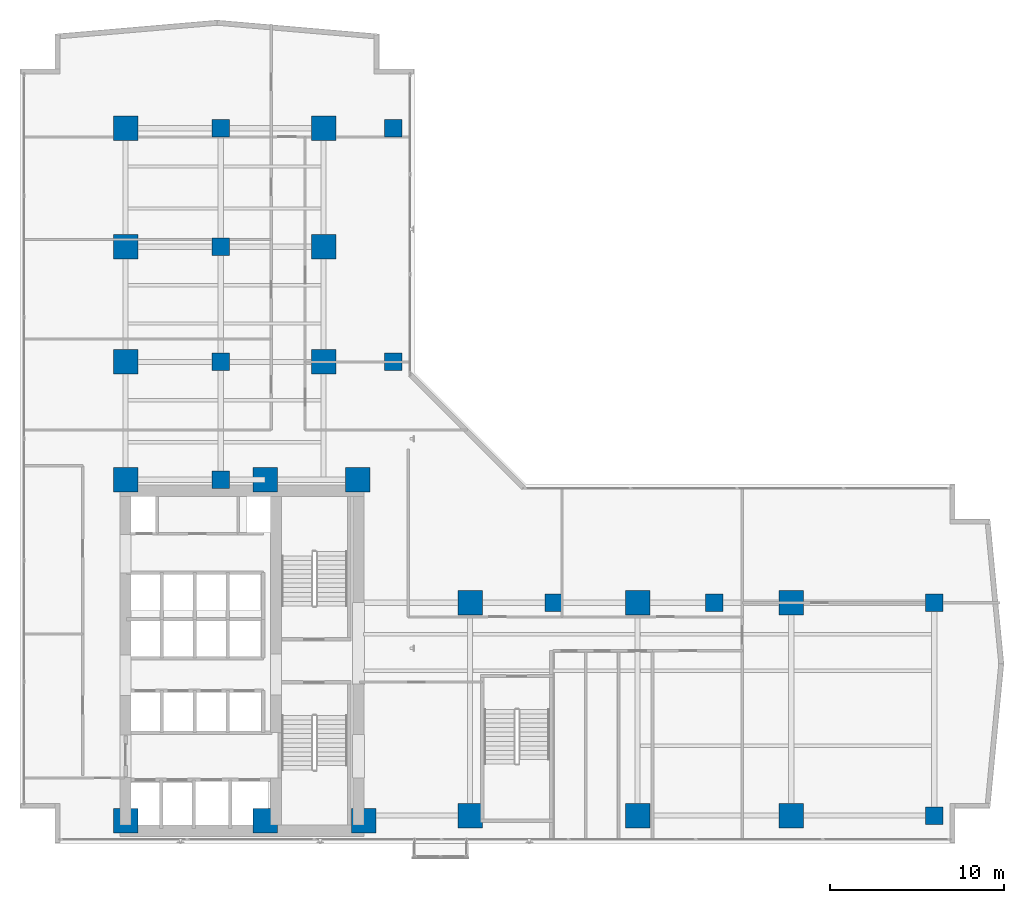
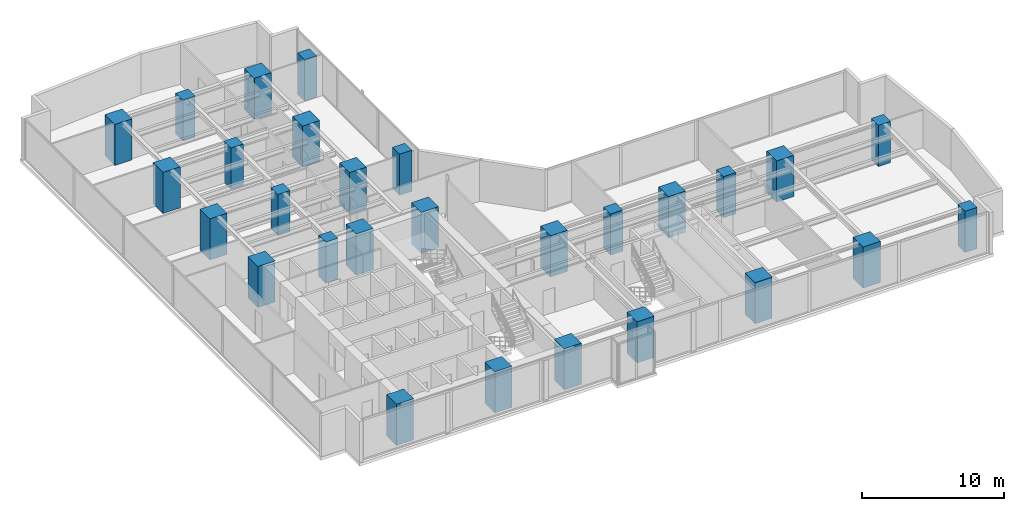
# One storey, part 1 of 24: 28 columns.
"""IFC4 building model written with IfcOpenShell, lengths in metres."""

from ifc_helpers import new_model, si_unit, direction, frame, origin, origin_2d, place, context, subcontext, project, spatial, rectangle, extrude, material, material_profile, profile_set, type_object, element, save


model = new_model("IFC4")

# Units and contexts
model_context = context("Model", 3, precision=1e-05, world=origin(), true_north=direction((0.0, 1.0)))
body_context = subcontext(model_context, "Body", "Model", "MODEL_VIEW")
ifc_project = project(units=[si_unit("LENGTHUNIT", "METRE"), si_unit("AREAUNIT", "SQUARE_METRE"), si_unit("VOLUMEUNIT", "CUBIC_METRE"), si_unit("PLANEANGLEUNIT", "RADIAN"), si_unit("MASSUNIT", "GRAM", prefix="KILO")], contexts=[model_context])

# Site, building, storey
site_placement = place(None, origin())
site = spatial("IfcSite", under=ifc_project, at=site_placement, CompositionType="ELEMENT")
building_placement = place(site_placement, origin())
building = spatial("IfcBuilding", under=site, at=building_placement, Name="Kolvaren Waterfront Exchange", CompositionType="ELEMENT")
storey_placement = place(building_placement, frame((0.0, 0.0, 91.699951171875)))
storey = spatial("IfcBuildingStorey", under=building, at=storey_placement, Name="L23", CompositionType="ELEMENT", Elevation=91.699951171875)

# Columns
ifc_material = material(Name="Concrete C60/75", Category="concrete")
ifc_material_profile_1 = material_profile(ifc_material, rectangle(XDim=1.0, YDim=1.0, at=origin_2d()), Name="RC-COL-1000x1000")
ifc_profile_set_1 = profile_set([ifc_material_profile_1], Name="Concrete C60/75")
column_type_1 = type_object("IfcColumnType", Name="STR-COL-1000-C60", PredefinedType="COLUMN", material=ifc_profile_set_1)
for number, where, z_axis, x_axis, name in (
    (1, (53.800048828125, 5.199951171875, 0.0), (0.0, 0.0, 1.0), (1.0, 0.0, 0.0), "L23 column ZC01"),
    (2, (53.800048828125, 17.39990234375, 0.0), (0.0, 0.0, 1.0), (1.0, 0.0, 0.0), "L23 column ZC02"),
    (3, (22.800048828125, 31.199951171875, 0.0), (0.0, 0.0, 1.0), (1.0, 0.0, 0.0), "L23 column ZC05"),
    (4, (22.800048828125, 44.60009765625, 0.0), (0.0, 0.0, 1.0), (1.0, 0.0, 0.0), "L23 column ZC06"),
    (5, (12.89990234375, 24.449951171875, 0.0), (0.0, 0.0, 1.0), (1.0, 0.0, 0.0), "L23 column TC01"),
    (6, (12.89990234375, 31.199951171875, 0.0), (0.0, 0.0, 1.0), (1.0, 0.0, 0.0), "L23 column TC02"),
    (7, (12.89990234375, 37.800048828125, 0.0), (0.0, 0.0, 1.0), (1.0, 0.0, 0.0), "L23 column TC03"),
    (8, (12.89990234375, 44.60009765625, 0.0), (0.0, 0.0, 1.0), (1.0, 0.0, 0.0), "L23 column TC04"),
    (9, (32.0, 17.39990234375, 0.0), (0.0, 0.0, 1.0), (1.0, 0.0, 0.0), "L23 column TC05"),
    (10, (41.199951171875, 17.39990234375, 0.0), (0.0, 0.0, 1.0), (1.0, 0.0, 0.0), "L23 column TC06"),
):
    element("IfcColumn", number, at=place(storey_placement, frame(where, z_axis=z_axis, x_axis=x_axis)), inside=storey, type_object=column_type_1, Name=name, PredefinedType="COLUMN", context=body_context, shape_type="SweptSolid", body=[
        extrude(rectangle(XDim=1.0, YDim=1.0, at=origin_2d()), origin(), (0.0, 0.0, 1.0), 3.5400390625),
    ])
ifc_material_profile_2 = material_profile(ifc_material, rectangle(XDim=1.39990234375, YDim=1.39990234375, at=origin_2d()), Name="RC-COL-1400x1400")
ifc_profile_set_2 = profile_set([ifc_material_profile_2], Name="Concrete C60/75")
column_type_2 = type_object("IfcColumnType", Name="STR-COL-1400-C60", PredefinedType="COLUMN", material=ifc_profile_set_2)
for number, where, z_axis, x_axis, name in (
    (11, (7.449951171875, 4.89990234375, 0.0), (0.0, 0.0, 1.0), (1.0, 0.0, 0.0), "L23 column MC01"),
    (12, (15.449951171875, 4.89990234375, 0.0), (0.0, 0.0, 1.0), (1.0, 0.0, 0.0), "L23 column MC02"),
    (13, (21.10009765625, 4.89990234375, 0.0), (0.0, 0.0, 1.0), (1.0, 0.0, 0.0), "L23 column MC03"),
    (14, (7.449951171875, 24.449951171875, 0.0), (0.0, 0.0, 1.0), (1.0, 0.0, 0.0), "L23 column MC04"),
    (15, (15.449951171875, 24.449951171875, 0.0), (0.0, 0.0, 1.0), (1.0, 0.0, 0.0), "L23 column MC05"),
    (16, (20.75, 24.449951171875, 0.0), (0.0, 0.0, 1.0), (1.0, 0.0, 0.0), "L23 column MC06"),
    (17, (7.449951171875, 31.199951171875, 0.0), (0.0, 0.0, 1.0), (1.0, 0.0, 0.0), "L23 column NC01"),
    (18, (7.449951171875, 37.800048828125, 0.0), (0.0, 0.0, 1.0), (1.0, 0.0, 0.0), "L23 column NC02"),
    (19, (7.449951171875, 44.60009765625, 0.0), (0.0, 0.0, 1.0), (1.0, 0.0, 0.0), "L23 column NC03"),
    (20, (18.800048828125, 31.199951171875, 0.0), (0.0, 0.0, 1.0), (1.0, 0.0, 0.0), "L23 column NC04"),
    (21, (18.800048828125, 37.800048828125, 0.0), (0.0, 0.0, 1.0), (1.0, 0.0, 0.0), "L23 column NC05"),
    (22, (18.800048828125, 44.60009765625, 0.0), (0.0, 0.0, 1.0), (1.0, 0.0, 0.0), "L23 column NC06"),
    (23, (27.199951171875, 5.199951171875, 0.0), (0.0, 0.0, 1.0), (1.0, 0.0, 0.0), "L23 column EC01"),
    (24, (36.800048828125, 5.199951171875, 0.0), (0.0, 0.0, 1.0), (1.0, 0.0, 0.0), "L23 column EC02"),
    (25, (45.60009765625, 5.199951171875, 0.0), (0.0, 0.0, 1.0), (1.0, 0.0, 0.0), "L23 column EC03"),
    (26, (27.199951171875, 17.39990234375, 0.0), (0.0, 0.0, 1.0), (1.0, 0.0, 0.0), "L23 column EC04"),
    (27, (36.800048828125, 17.39990234375, 0.0), (0.0, 0.0, 1.0), (1.0, 0.0, 0.0), "L23 column EC05"),
    (28, (45.60009765625, 17.39990234375, 0.0), (0.0, 0.0, 1.0), (1.0, 0.0, 0.0), "L23 column EC06"),
):
    element("IfcColumn", number, at=place(storey_placement, frame(where, z_axis=z_axis, x_axis=x_axis)), inside=storey, type_object=column_type_2, Name=name, PredefinedType="COLUMN", context=body_context, shape_type="SweptSolid", body=[
        extrude(rectangle(XDim=1.39990234375, YDim=1.39990234375, at=origin_2d()), origin(), (0.0, 0.0, 1.0), 3.5400390625),
    ])

save(model, "model.ifc")
